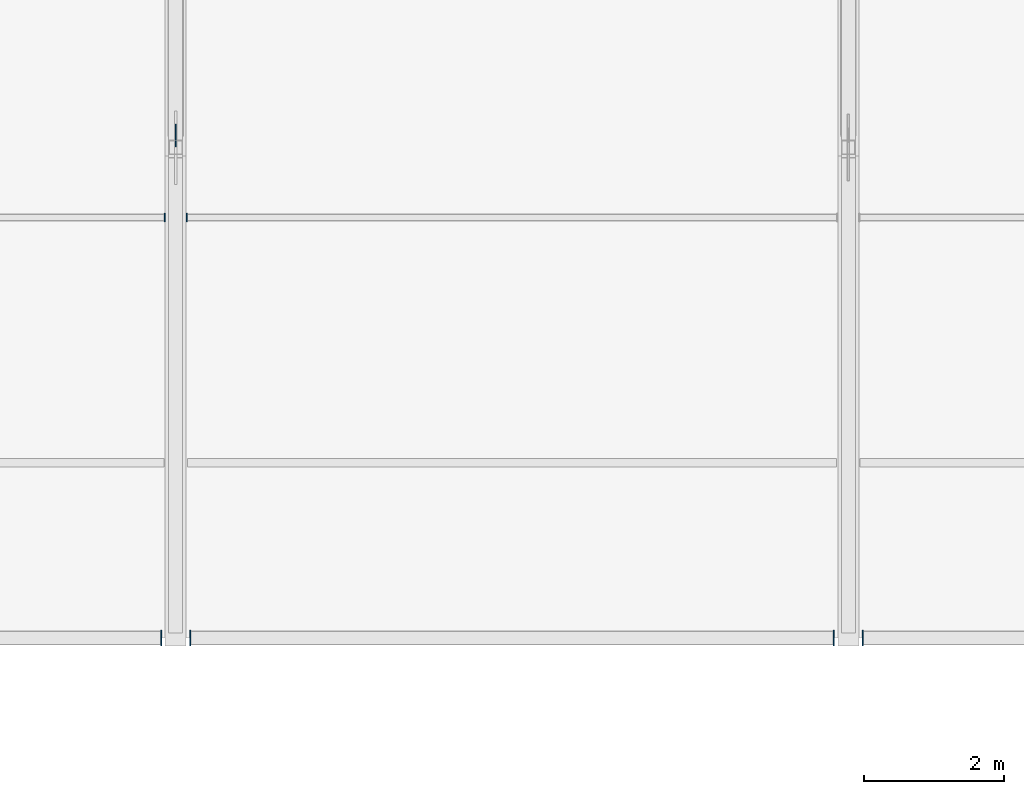
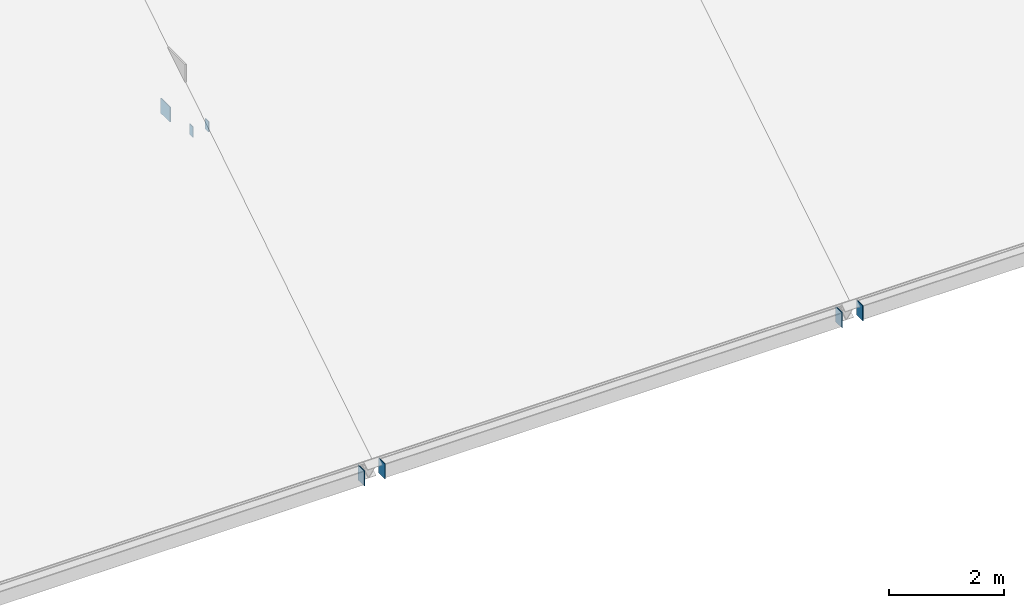
# One storey, part 44 of 66: 7 plates.
"""IFC4 building model written with IfcOpenShell, lengths in metres."""

import ifcopenshell
import ifcopenshell.guid

model = None  # the IFC model being written
_history = None  # IfcOwnerHistory: only IFC2X3 demands one
_inside = {}  # id of a spatial element -> (the spatial element, [elements in it])
_under = {}  # id of a project, library or spatial element -> (it, [spatial elements below it])
_declared = {}  # id of a project -> (the project, [libraries it declares])
_typed = {}  # id of a type object -> (the type object, [elements of that type])
_made_of = {}  # id of a material, layer set ... -> (it, [elements and type objects made of it])


def new_model(schema):
    """Start an empty IFC model of exactly this schema.

    Asked for "IFC4X3", IfcOpenShell would pick the latest addendum, in which some entities
    have other attributes; the version numbers below select the first issue.
    IFC2X3 requires an IfcOwnerHistory on every rooted entity: one is made here for all.
    """
    global model, _history
    if schema == "IFC4X3":
        model = ifcopenshell.file(schema_version=(4, 3, 0, 0))
    else:
        model = ifcopenshell.file(schema=schema)
    _inside.clear()
    _under.clear()
    _declared.clear()
    _typed.clear()
    _made_of.clear()
    _history = None
    if model.schema == "IFC2X3":
        org = make("IfcOrganization", Name="unknown")
        user = make(
            "IfcPersonAndOrganization",
            ThePerson=make("IfcPerson", FamilyName="unknown"),
            TheOrganization=org,
        )
        app = make(
            "IfcApplication",
            ApplicationDeveloper=org,
            Version="unknown",
            ApplicationFullName="unknown",
            ApplicationIdentifier="unknown",
        )
        _history = make(
            "IfcOwnerHistory",
            OwningUser=user,
            OwningApplication=app,
            ChangeAction="ADDED",
            CreationDate=0,
        )
    return model


def make(cls, **values):
    """One entity of the class cls with the attributes given. An attribute that is None is left unset."""
    return model.create_entity(
        cls, **{name: value for name, value in values.items() if value is not None}
    )


def rooted(cls, **values):
    """An entity with a GlobalId (a new one), such as an element, a storey or a relation."""
    return make(cls, GlobalId=ifcopenshell.guid.new(), OwnerHistory=_history, **values)


def si_unit(unit_type, name, prefix=None):
    """IfcSIUnit, for example si_unit("LENGTHUNIT", "METRE", prefix="MILLI")."""
    return make("IfcSIUnit", UnitType=unit_type, Prefix=prefix, Name=name)


def assignment(units):
    """IfcUnitAssignment: the units of a project."""
    return None if units is None else make("IfcUnitAssignment", Units=units)


def point(xyz):
    """IfcCartesianPoint."""
    return None if xyz is None else make("IfcCartesianPoint", Coordinates=xyz)


def direction(xyz):
    """IfcDirection."""
    return None if xyz is None else make("IfcDirection", DirectionRatios=xyz)


def frame(location, z_axis=None, x_axis=None):
    """IfcAxis2Placement3D, a coordinate frame: its origin and axes. An axis left out is left unset."""
    return make(
        "IfcAxis2Placement3D",
        Location=point(location),
        Axis=direction(z_axis),
        RefDirection=direction(x_axis),
    )


def frame_2d(location, x_axis=None):
    """IfcAxis2Placement2D, a coordinate frame in the plane: its origin and x axis."""
    return make(
        "IfcAxis2Placement2D", Location=point(location), RefDirection=direction(x_axis)
    )


def origin():
    """The frame at (0, 0, 0) with its axes left unset."""
    return frame((0.0, 0.0, 0.0))


def origin_2d():
    """The frame at (0, 0) in the plane with its x axis left unset."""
    return frame_2d((0.0, 0.0))


def place(relative_to, where):
    """IfcLocalPlacement: puts the frame where relative to a parent placement (None: the world)."""
    return make(
        "IfcLocalPlacement", PlacementRelTo=relative_to, RelativePlacement=where
    )


def context(
    kind, dimensions, precision=None, world=None, true_north=None, identifier=None
):
    """IfcGeometricRepresentationContext, for example the 3D "Model" context."""
    return make(
        "IfcGeometricRepresentationContext",
        ContextIdentifier=identifier,
        ContextType=kind,
        CoordinateSpaceDimension=dimensions,
        Precision=precision,
        WorldCoordinateSystem=world,
        TrueNorth=true_north,
    )


def subcontext(parent, identifier, kind, view, scale=None):
    """IfcGeometricRepresentationSubContext, for example "Body" below "Model"."""
    return make(
        "IfcGeometricRepresentationSubContext",
        ContextIdentifier=identifier,
        ContextType=kind,
        ParentContext=parent,
        TargetScale=scale,
        TargetView=view,
    )


def project(units=None, contexts=None):
    """IfcProject with its units and contexts."""
    return rooted(
        "IfcProject",
        Name="project",
        RepresentationContexts=contexts,
        UnitsInContext=assignment(units),
    )


def spatial(cls, under=None, at=None, **own):
    """A site, building, storey or space (cls), placed at a placement, below another one or the project."""
    s = rooted(cls, ObjectPlacement=at, **own)
    if under is not None:
        _under.setdefault(under.id(), (under, []))[1].append(s)
    return s


def profile(cls, at=None, kind="AREA", **sizes):
    """A parametric profile (cls). Its sizes go by their IFC names, for example OverallWidth=200.0."""
    return make(cls, ProfileType=kind, Position=at, **sizes)


def rectangle(**sizes):
    """IfcRectangleProfileDef."""
    return profile("IfcRectangleProfileDef", **sizes)


def extrude(swept, where, along, depth):
    """IfcExtrudedAreaSolid: the profile swept, set in the frame where, extruded along a direction by depth."""
    return make(
        "IfcExtrudedAreaSolid",
        SweptArea=swept,
        Position=where,
        ExtrudedDirection=direction(along),
        Depth=depth,
    )


def shape(context_of_items, identifier, shape_type, items):
    """IfcShapeRepresentation: the items that make up one representation, for example the "Body"."""
    return make(
        "IfcShapeRepresentation",
        ContextOfItems=context_of_items,
        RepresentationIdentifier=identifier,
        RepresentationType=shape_type,
        Items=items,
    )


def material(Name=None, Category=None):
    """IfcMaterial."""
    return make("IfcMaterial", Name=Name, Category=Category)


def layer(
    of_material, thickness, ventilated=None, Name=None, Category=None, Priority=None
):
    """IfcMaterialLayer: one layer of a wall or slab, of a material (None: an air gap)."""
    return make(
        "IfcMaterialLayer",
        Material=of_material,
        LayerThickness=thickness,
        IsVentilated=ventilated,
        Name=Name,
        Category=Category,
        Priority=Priority,
    )


def layer_set(layers, Name=None):
    """IfcMaterialLayerSet."""
    return make("IfcMaterialLayerSet", MaterialLayers=layers, LayerSetName=Name)


def made_of(thing, what):
    """Note that an element or type object is made of a material, layer set ...; save() writes the relation."""
    if what is not None:
        _made_of.setdefault(what.id(), (what, []))[1].append(thing)
    return thing


def type_object(cls, material=None, **own):
    """A type object (cls), such as IfcWallType, which elements share."""
    return made_of(rooted(cls, **own), material)


def element(
    cls,
    number,
    at=None,
    inside=None,
    cuts=None,
    type_object=None,
    material=None,
    context=None,
    identifier="Body",
    shape_type=None,
    held_by="IfcProductDefinitionShape",
    body=None,
    shapes=None,
    **own,
):
    """One element of the class cls, such as IfcWall. Its Tag is "e" and its number.

    at: its placement. inside: the storey or other place that contains it. cuts: it is an
    opening in that element (IfcRelVoidsElement). A single representation is given by context,
    identifier, shape_type and body (its items); several are given by shapes. held_by: the class
    of the entity that holds the representations. save() writes the other relations.
    """
    e = rooted(cls, Tag="e%d" % number, ObjectPlacement=at, **own)
    if body is not None:
        shapes = [shape(context, identifier, shape_type, body)]
    if shapes is not None:
        e.Representation = make(held_by, Representations=shapes)
    if inside is not None:
        _inside.setdefault(inside.id(), (inside, []))[1].append(e)
    if cuts is not None:
        rooted(
            "IfcRelVoidsElement", RelatingBuildingElement=cuts, RelatedOpeningElement=e
        )
    if type_object is not None:
        _typed.setdefault(type_object.id(), (type_object, []))[1].append(e)
    return made_of(e, material)


def aggregate(whole, parts):
    """IfcRelAggregates: a whole, such as a stair, and the parts it consists of."""
    return rooted("IfcRelAggregates", RelatingObject=whole, RelatedObjects=parts)


def save(model, path):
    """Write the relations noted so far, then the file.

    IfcRelAggregates (storeys below a building ...), IfcRelContainedInSpatialStructure (elements
    in a storey), IfcRelDefinesByType, IfcRelAssociatesMaterial and IfcRelDeclares: one each for
    every whole, place, type object, material and project.
    """
    for whole, parts in _under.values():
        aggregate(whole, parts)
    for where, things in _inside.values():
        rooted(
            "IfcRelContainedInSpatialStructure",
            RelatedElements=things,
            RelatingStructure=where,
        )
    for kind, things in _typed.values():
        rooted("IfcRelDefinesByType", RelatedObjects=things, RelatingType=kind)
    for what, things in _made_of.values():
        rooted("IfcRelAssociatesMaterial", RelatedObjects=things, RelatingMaterial=what)
    for by, libraries in _declared.values():
        rooted("IfcRelDeclares", RelatingContext=by, RelatedDefinitions=libraries)
    model.write(path)


model = new_model("IFC4")

# Units and contexts
model_context = context("Model", 3, precision=1e-05, world=origin(), true_north=direction((0.0, 1.0)))
body_context = subcontext(model_context, "Body", "Model", "MODEL_VIEW")
ifc_project = project(units=[si_unit("LENGTHUNIT", "METRE"), si_unit("AREAUNIT", "SQUARE_METRE"), si_unit("VOLUMEUNIT", "CUBIC_METRE"), si_unit("PLANEANGLEUNIT", "RADIAN"), si_unit("MASSUNIT", "GRAM", prefix="KILO")], contexts=[model_context])

# Site, building, storey
site_placement = place(None, origin())
site = spatial("IfcSite", under=ifc_project, at=site_placement, CompositionType="ELEMENT")
building_placement = place(site_placement, origin())
building = spatial("IfcBuilding", under=site, at=building_placement, Name="Yeouljin Market Hall", CompositionType="ELEMENT")
storey_placement = place(building_placement, frame((0.0, 0.0, 23.39990234375)))
storey = spatial("IfcBuildingStorey", under=building, at=storey_placement, Name="RF", CompositionType="ELEMENT", Elevation=23.39990234375)

# Plates
ifc_material_1 = material(Name="Steel SM355", Category="steel")
ifc_layer_1 = layer(ifc_material_1, 0.01611328125)
ifc_layer_set_1 = layer_set([ifc_layer_1], Name="Steel SM355")
plate_type_1 = type_object("IfcPlateType", Name="CapPlate_220x120x16", PredefinedType="SHEET", material=ifc_layer_set_1)
for number, where, z_axis, x_axis, name in (
    (1, (102.44189453125, 42.0, -8.71826171875), (0.0, 0.0, 1.0), (0.0, 1.0, 0.0), "Purlin end-cap plate 0170"),
    (2, (102.758056640625, 42.0, -8.71826171875), (0.0, 0.0, 1.0), (0.0, 1.0, 0.0), "Purlin end-cap plate 0181"),
):
    element("IfcPlate", number, at=place(storey_placement, frame(where, z_axis=z_axis, x_axis=x_axis)), inside=storey, type_object=plate_type_1, Name=name, PredefinedType="SHEET", context=body_context, shape_type="SweptSolid", body=[
        extrude(rectangle(XDim=0.1201171875, YDim=0.01611328125, at=origin_2d()), origin(), (0.0, 0.0, 1.0), 0.219970703125),
    ])
ifc_material_2 = material(Name="Steel SM355", Category="steel")
ifc_layer_2 = layer(ifc_material_2, 0.01611328125)
ifc_layer_set_2 = layer_set([ifc_layer_2], Name="Steel SM355")
plate_type_2 = type_object("IfcPlateType", Name="CapPlate_320x220x16", PredefinedType="SHEET", material=ifc_layer_set_2)
for number, where, z_axis, x_axis, name in (
    (3, (102.39208984375, 36.0, -12.43994140625), (0.0, 0.0, 1.0), (0.0, 1.0, 0.0), "Eaves girder end-cap plate S07-E"),
    (4, (102.80810546875, 36.0, -12.43994140625), (0.0, 0.0, 1.0), (0.0, 1.0, 0.0), "Eaves girder end-cap plate S08-W"),
    (5, (111.991943359375, 36.0, -12.43994140625), (0.0, 0.0, 1.0), (0.0, 1.0, 0.0), "Eaves girder end-cap plate S08-E"),
    (6, (112.407958984375, 36.0, -12.43994140625), (0.0, 0.0, 1.0), (0.0, 1.0, 0.0), "Eaves girder end-cap plate S09-W"),
):
    element("IfcPlate", number, at=place(storey_placement, frame(where, z_axis=z_axis, x_axis=x_axis)), inside=storey, type_object=plate_type_2, Name=name, PredefinedType="SHEET", context=body_context, shape_type="SweptSolid", body=[
        extrude(rectangle(XDim=0.219970703125, YDim=0.01611328125, at=origin_2d()), origin(), (0.0, 0.0, 1.0), 0.320068359375),
    ])
ifc_material_3 = material(Name="Steel SM355", Category="steel")
ifc_layer_3 = layer(ifc_material_3, 0.02001953125)
ifc_layer_set_3 = layer_set([ifc_layer_3], Name="Steel SM355")
plate_type_3 = type_object("IfcPlateType", Name="CapPlate_320x320x20", PredefinedType="SHEET", material=ifc_layer_set_3)
plate_placement = place(storey_placement, frame((102.60009765625, 43.172119140625, -9.1005859375), z_axis=(0.0, 0.0, 1.0), x_axis=(0.0, 1.0, 0.0)))
element("IfcPlate", 7, at=plate_placement, inside=storey, type_object=plate_type_3, Name="Hollow web end-cap plate 0029", PredefinedType="SHEET", context=body_context, shape_type="SweptSolid", body=[
    extrude(rectangle(XDim=0.320068359375, YDim=0.02001953125, at=origin_2d()), origin(), (0.0, 0.0, 1.0), 0.320068359375),
])

save(model, "model.ifc")
